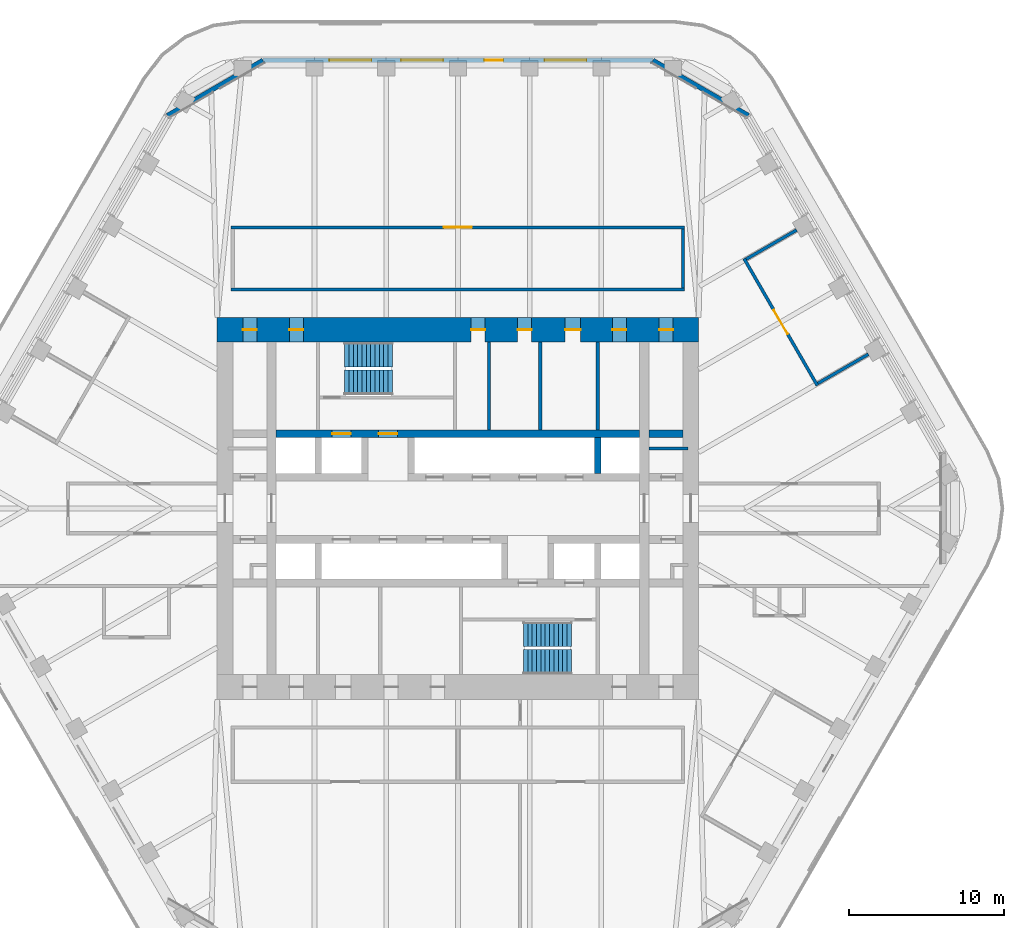
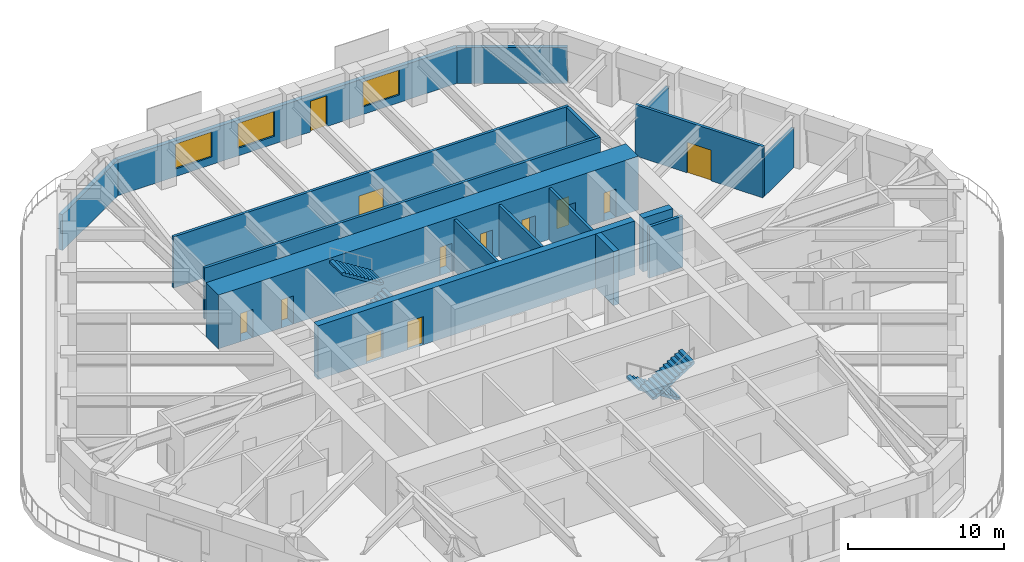
# One storey, part 17 of 20: 17 walls, 12 doors, 4 stair flights, 3 windows, 15 openings, 2 elements without a shape of their own.
"""IFC4 building model written with IfcOpenShell, lengths in metres."""

from ifc_helpers import new_model, si_unit, direction, frame, frame_2d, origin, place, context, subcontext, project, spatial, polyline, rectangle, outline, extrude, material, layer, layer_set, type_object, element, fill, aggregate, save


model = new_model("IFC4")

# Units and contexts
model_context = context("Model", 3, precision=1e-05, world=origin(), true_north=direction((0.0, 1.0)))
body_context = subcontext(model_context, "Body", "Model", "MODEL_VIEW")
ifc_project = project(units=[si_unit("LENGTHUNIT", "METRE"), si_unit("AREAUNIT", "SQUARE_METRE"), si_unit("VOLUMEUNIT", "CUBIC_METRE"), si_unit("PLANEANGLEUNIT", "RADIAN"), si_unit("MASSUNIT", "GRAM", prefix="KILO")], contexts=[model_context])

# Site, building, storey
site_placement = place(None, origin())
site = spatial("IfcSite", under=ifc_project, at=site_placement, CompositionType="ELEMENT")
building_placement = place(site_placement, origin())
building = spatial("IfcBuilding", under=site, at=building_placement, Name="Tarfa Lantern Tower", CompositionType="ELEMENT")
storey_placement = place(building_placement, frame((0.0, 0.0, 286.89990234375)))
storey = spatial("IfcBuildingStorey", under=building, at=storey_placement, Name="L65", CompositionType="ELEMENT", Elevation=286.89990234375)

# Walls
ifc_material_1 = material(Name="Limestone cladding on blockwork", Category="masonry")
ifc_layer_1 = layer(ifc_material_1, 0.300048828125)
ifc_layer_set_1 = layer_set([ifc_layer_1], Name="EW1 STONE-CLAD WALL 300")
wall_type_1 = type_object("IfcWallType", Name="EW1 STONE-CLAD WALL 300", PredefinedType="SOLIDWALL", material=ifc_layer_set_1)
for number, where, z_axis, x_axis, name in (
    (1, (18.70654296875, 25.299072265625, 0.0), (0.0, 0.0, 1.0), (-0.866010973379, 0.500024993363, 0.0), "Garden wall NE-N"),
    (2, (-12.556396484375, 28.85009765625, 0.0), (0.0, 0.0, 1.0), (-0.866010973379, -0.500024993363, 0.0), "Garden wall N-NW"),
):
    element("IfcWall", number, at=place(storey_placement, frame(where, z_axis=z_axis, x_axis=x_axis)), inside=storey, type_object=wall_type_1, Name=name, PredefinedType="SOLIDWALL", context=body_context, shape_type="SweptSolid", body=[
        extrude(rectangle(XDim=7.101806640625, YDim=0.300048828125, at=frame_2d((3.55078125, 0.0))), origin(), (0.0, 0.0, 1.0), 2.800048828125),
    ])

# Wall, openings, door, windows
wall_1_placement = place(storey_placement, frame((12.556396484375, 28.85009765625, 0.0), z_axis=(0.0, 0.0, 1.0), x_axis=(-1.0, 0.0, 0.0)))
wall_1 = element("IfcWall", 3, at=wall_1_placement, inside=storey, type_object=wall_type_1, Name="Stone wall N", PredefinedType="SOLIDWALL", context=body_context, shape_type="SweptSolid", body=[
    extrude(rectangle(XDim=25.11279296875, YDim=0.300048828125, at=frame_2d((12.556396484375, 0.0))), origin(), (0.0, 0.0, 1.0), 2.800048828125),
])
opening_1_placement = place(wall_1_placement, frame((4.2783203125, 0.0, 0.60009765625)))
opening_1 = element("IfcOpeningElement", 4, at=opening_1_placement, cuts=wall_1, Name="Opening W14", PredefinedType="OPENING", context=body_context, shape_type="SweptSolid", body=[
    extrude(rectangle(XDim=2.699951171875, YDim=1.949951171875, at=frame_2d((1.35009765625, 0.97509765625))), frame((0.0, 0.159912109375, 0.0), z_axis=(0.0, -1.0, 0.0), x_axis=(1.0, 0.0, 0.0)), (0.0, 0.0, 1.0), 0.320068359375),
])
opening_2_placement = place(wall_1_placement, frame((9.64697265625, 0.0, 0.0)))
opening_2 = element("IfcOpeningElement", 5, at=opening_2_placement, cuts=wall_1, Name="Opening D46", PredefinedType="OPENING", context=body_context, shape_type="SweptSolid", body=[
    extrude(rectangle(XDim=1.199951171875, YDim=2.39990234375, at=frame_2d((0.60009765625, 1.199951171875))), frame((0.0, 0.159912109375, 0.0), z_axis=(0.0, -1.0, 0.0), x_axis=(1.0, 0.0, 0.0)), (0.0, 0.0, 1.0), 0.320068359375),
])
opening_3_placement = place(wall_1_placement, frame((13.515869140625, 0.0, 0.60009765625)))
opening_3 = element("IfcOpeningElement", 6, at=opening_3_placement, cuts=wall_1, Name="Opening W14", PredefinedType="OPENING", context=body_context, shape_type="SweptSolid", body=[
    extrude(rectangle(XDim=2.699951171875, YDim=1.949951171875, at=frame_2d((1.35009765625, 0.97509765625))), frame((0.0, 0.159912109375, 0.0), z_axis=(0.0, -1.0, 0.0), x_axis=(1.0, 0.0, 0.0)), (0.0, 0.0, 1.0), 0.320068359375),
])
opening_4_placement = place(wall_1_placement, frame((18.134521484375, 0.0, 0.60009765625)))
opening_4 = element("IfcOpeningElement", 7, at=opening_4_placement, cuts=wall_1, Name="Opening W14", PredefinedType="OPENING", context=body_context, shape_type="SweptSolid", body=[
    extrude(rectangle(XDim=2.699951171875, YDim=1.949951171875, at=frame_2d((1.35009765625, 0.97509765625))), frame((0.0, 0.159912109375, 0.0), z_axis=(0.0, -1.0, 0.0), x_axis=(1.0, 0.0, 0.0)), (0.0, 0.0, 1.0), 0.320068359375),
])
ifc_material_2 = material(Name="Aluminium framed glazed door", Category="aluminium")
door_type_1 = type_object("IfcDoorType", Name="BE3 BALCONY DOOR 1200x2400", OperationType="SINGLE_SWING_RIGHT", PredefinedType="DOOR", material=ifc_material_2)
door_1_placement = place(opening_2_placement, origin())
door_1 = element("IfcDoor", 8, at=door_1_placement, inside=storey, type_object=door_type_1, Name="Balcony door N", OperationType="SINGLE_SWING_RIGHT", OverallHeight=2.39990234375, OverallWidth=1.199951171875, PredefinedType="DOOR", context=body_context, shape_type="SweptSolid", body=[
    extrude(rectangle(XDim=1.199951171875, YDim=2.39990234375, at=frame_2d((0.60009765625, 1.199951171875))), frame((0.0, 0.02490234375, 0.0), z_axis=(0.0, -1.0, 0.0), x_axis=(1.0, 0.0, 0.0)), (0.0, 0.0, 1.0), 0.050048828125),
])
fill(opening_2, door_1)
ifc_material_3 = material(Name="Aluminium frame, double glazed", Category="aluminium")
window_type = type_object("IfcWindowType", Name="W14 FULL-HEIGHT GLAZING 2700x1950", PartitioningType="SINGLE_PANEL", PredefinedType="WINDOW", material=ifc_material_3)
window_1_placement = place(opening_1_placement, origin())
window_1 = element("IfcWindow", 9, at=window_1_placement, inside=storey, type_object=window_type, Name="Window N 2", OverallHeight=1.949951171875, OverallWidth=2.699951171875, PartitioningType="SINGLE_PANEL", PredefinedType="WINDOW", context=body_context, shape_type="SweptSolid", body=[
    extrude(rectangle(XDim=2.699951171875, YDim=1.949951171875, at=frame_2d((1.35009765625, 0.97509765625))), frame((0.0, 0.030029296875, 0.0), z_axis=(0.0, -1.0, 0.0), x_axis=(1.0, 0.0, 0.0)), (0.0, 0.0, 1.0), 0.06005859375),
])
fill(opening_1, window_1)
window_2_placement = place(opening_3_placement, origin())
window_2 = element("IfcWindow", 10, at=window_2_placement, inside=storey, type_object=window_type, Name="Window N 4", OverallHeight=1.949951171875, OverallWidth=2.699951171875, PartitioningType="SINGLE_PANEL", PredefinedType="WINDOW", context=body_context, shape_type="SweptSolid", body=[
    extrude(rectangle(XDim=2.699951171875, YDim=1.949951171875, at=frame_2d((1.35009765625, 0.97509765625))), frame((0.0, 0.030029296875, 0.0), z_axis=(0.0, -1.0, 0.0), x_axis=(1.0, 0.0, 0.0)), (0.0, 0.0, 1.0), 0.06005859375),
])
fill(opening_3, window_2)
window_3_placement = place(opening_4_placement, origin())
window_3 = element("IfcWindow", 11, at=window_3_placement, inside=storey, type_object=window_type, Name="Window N 5", OverallHeight=1.949951171875, OverallWidth=2.699951171875, PartitioningType="SINGLE_PANEL", PredefinedType="WINDOW", context=body_context, shape_type="SweptSolid", body=[
    extrude(rectangle(XDim=2.699951171875, YDim=1.949951171875, at=frame_2d((1.35009765625, 0.97509765625))), frame((0.0, 0.030029296875, 0.0), z_axis=(0.0, -1.0, 0.0), x_axis=(1.0, 0.0, 0.0)), (0.0, 0.0, 1.0), 0.06005859375),
])
fill(opening_4, window_3)

# Walls
ifc_material_4 = material(Name="Concrete blockwork", Category="masonry")
ifc_layer_2 = layer(ifc_material_4, 0.199951171875)
ifc_layer_set_2 = layer_set([ifc_layer_2], Name="IW1 BLOCKWORK PARTITION 200 EI 120")
wall_type_2 = type_object("IfcWallType", Name="IW1 BLOCKWORK PARTITION 200 EI 120", PredefinedType="PARTITIONING", material=ifc_layer_set_2)
for number, where, z_axis, x_axis, name in (
    (12, (9.0, 5.050048828125, 0.0), (0.0, 0.0, 1.0), (0.0, 1.0, 0.0), "Core partition"),
    (13, (2.0, 5.050048828125, 0.0), (0.0, 0.0, 1.0), (0.0, 1.0, 0.0), "Core partition"),
    (14, (5.300048828125, 5.050048828125, 0.0), (0.0, 0.0, 1.0), (0.0, 1.0, 0.0), "Core partition"),
):
    element("IfcWall", number, at=place(storey_placement, frame(where, z_axis=z_axis, x_axis=x_axis)), inside=storey, type_object=wall_type_2, Name=name, PredefinedType="PARTITIONING", context=body_context, shape_type="SweptSolid", body=[
        extrude(rectangle(XDim=5.64990234375, YDim=0.199951171875, at=frame_2d((2.824951171875, 0.0))), origin(), (0.0, 0.0, 1.0), 4.0),
    ])
wall_2_placement = place(storey_placement, frame((12.300048828125, 3.85009765625, 0.0), z_axis=(0.0, 0.0, 1.0), x_axis=(1.0, 0.0, 0.0)))
element("IfcWall", 15, at=wall_2_placement, inside=storey, type_object=wall_type_2, Name="Core partition", PredefinedType="PARTITIONING", context=body_context, shape_type="SweptSolid", body=[
    extrude(rectangle(XDim=2.5, YDim=0.199951171875, at=frame_2d((1.25, 0.0))), origin(), (0.0, 0.0, 1.0), 4.0),
])
ifc_material_5 = material(Name="Gypsum board on steel studs", Category="steel")
ifc_layer_3 = layer(ifc_material_5, 0.2099609375)
ifc_layer_set_3 = layer_set([ifc_layer_3], Name="IW2 ACOUSTIC PARTITION 200")
wall_type_3 = type_object("IfcWallType", Name="IW2 ACOUSTIC PARTITION 200", PredefinedType="PARTITIONING", material=ifc_layer_set_3)
wall_3_placement = place(storey_placement, frame((-14.60009765625, 14.10009765625, 0.0), z_axis=(0.0, 0.0, 1.0), x_axis=(1.0, 0.0, 0.0)))
element("IfcWall", 16, at=wall_3_placement, inside=storey, type_object=wall_type_3, Name="Partition", PredefinedType="PARTITIONING", context=body_context, shape_type="SweptSolid", body=[
    extrude(rectangle(XDim=29.2001953125, YDim=0.199951171875, at=frame_2d((14.60009765625, 0.0))), origin(), (0.0, 0.0, 1.0), 4.0),
])

# Wall, opening, door
wall_4_placement = place(storey_placement, frame((-14.60009765625, 18.10009765625, 0.0), z_axis=(0.0, 0.0, 1.0), x_axis=(1.0, 0.0, 0.0)))
wall_4 = element("IfcWall", 17, at=wall_4_placement, inside=storey, type_object=wall_type_3, Name="Partition", PredefinedType="PARTITIONING", context=body_context, shape_type="SweptSolid", body=[
    extrude(rectangle(XDim=29.2001953125, YDim=0.199951171875, at=frame_2d((14.60009765625, 0.0))), origin(), (0.0, 0.0, 1.0), 4.0),
])
opening_5_placement = place(wall_4_placement, frame((13.699951171875, 0.0, 0.0)))
opening_5 = element("IfcOpeningElement", 18, at=opening_5_placement, cuts=wall_4, Name="Opening D31", PredefinedType="OPENING", context=body_context, shape_type="SweptSolid", body=[
    extrude(rectangle(XDim=1.800048828125, YDim=2.39990234375, at=frame_2d((0.89990234375, 1.199951171875))), frame((0.0, 0.10986328125, 0.0), z_axis=(0.0, -1.0, 0.0), x_axis=(1.0, 0.0, 0.0)), (0.0, 0.0, 1.0), 0.219970703125),
])
ifc_material_6 = material(Name="Timber door", Category="wood")
door_type_2 = type_object("IfcDoorType", Name="DR2 ROOM DOOR 1800x2400", OperationType="DOUBLE_DOOR_SINGLE_SWING", PredefinedType="DOOR", material=ifc_material_6)
door_2_placement = place(opening_5_placement, frame((1.800048828125, 0.0, 0.0), z_axis=(0.0, 0.0, 1.0), x_axis=(-1.0, 0.0, 0.0)))
door_2 = element("IfcDoor", 19, at=door_2_placement, inside=storey, type_object=door_type_2, Name="Team room door", OperationType="DOUBLE_DOOR_SINGLE_SWING", OverallHeight=2.39990234375, OverallWidth=1.800048828125, PredefinedType="DOOR", context=body_context, shape_type="SweptSolid", body=[
    extrude(rectangle(XDim=1.800048828125, YDim=2.39990234375, at=frame_2d((0.89990234375, 1.199951171875))), frame((0.0, 0.02490234375, 0.0), z_axis=(0.0, -1.0, 0.0), x_axis=(1.0, 0.0, 0.0)), (0.0, 0.0, 1.0), 0.050048828125),
])
fill(opening_5, door_2)

# Wall
wall_5_placement = place(storey_placement, frame((14.5, 14.199951171875, 0.0), z_axis=(0.0, 0.0, 1.0), x_axis=(0.0, 1.0, 0.0)))
element("IfcWall", 20, at=wall_5_placement, inside=storey, type_object=wall_type_3, Name="Partition", PredefinedType="PARTITIONING", context=body_context, shape_type="SweptSolid", body=[
    extrude(rectangle(XDim=3.800048828125, YDim=0.199951171875, at=frame_2d((1.89990234375, 0.0))), origin(), (0.0, 0.0, 1.0), 4.0),
])

# Wall, opening, door
wall_6_placement = place(storey_placement, frame((23.14404296875, 7.913330078125, 0.0), z_axis=(0.0, 0.0, 1.0), x_axis=(-0.499989672313, 0.866031366395, 0.0)))
wall_6 = element("IfcWall", 21, at=wall_6_placement, inside=storey, type_object=wall_type_3, Name="Partition", PredefinedType="PARTITIONING", context=body_context, shape_type="SweptSolid", body=[
    extrude(rectangle(XDim=9.437744140625, YDim=0.199951171875, at=frame_2d((4.71875, 0.0))), origin(), (0.0, 0.0, 1.0), 4.0),
])
opening_6_placement = place(wall_6_placement, frame((3.81884765625, 0.0, 0.0)))
opening_6 = element("IfcOpeningElement", 22, at=opening_6_placement, cuts=wall_6, Name="Opening D27", PredefinedType="OPENING", context=body_context, shape_type="SweptSolid", body=[
    extrude(rectangle(XDim=1.800048828125, YDim=2.39990234375, at=frame_2d((0.89990234375, 1.199951171875))), frame((0.0, 0.10986328125, 0.0), z_axis=(0.0, -1.0, 0.0), x_axis=(1.0, 0.0, 0.0)), (0.0, 0.0, 1.0), 0.219970703125),
])
door_3_placement = place(opening_6_placement, frame((1.800048828125, 0.0, 0.0), z_axis=(0.0, 0.0, 1.0), x_axis=(-1.0, 0.0, 0.0)))
door_3 = element("IfcDoor", 23, at=door_3_placement, inside=storey, type_object=door_type_2, Name="Team room door", OperationType="DOUBLE_DOOR_SINGLE_SWING", OverallHeight=2.39990234375, OverallWidth=1.800048828125, PredefinedType="DOOR", context=body_context, shape_type="SweptSolid", body=[
    extrude(rectangle(XDim=1.800048828125, YDim=2.39990234375, at=frame_2d((0.89990234375, 1.199951171875))), frame((0.0, 0.02490234375, 0.0), z_axis=(0.0, -1.0, 0.0), x_axis=(1.0, 0.0, 0.0)), (0.0, 0.0, 1.0), 0.050048828125),
])
fill(opening_6, door_3)

# Walls
for number, where, z_axis, x_axis, name in (
    (24, (23.1806640625, 8.050048828125, 0.0), (0.0, 0.0, 1.0), (0.866022959057, 0.500004234368, 0.0), "Partition"),
    (25, (18.561767578125, 16.050048828125, 0.0), (0.0, 0.0, 1.0), (0.866022959057, 0.500004234368, 0.0), "Partition"),
):
    element("IfcWall", number, at=place(storey_placement, frame(where, z_axis=z_axis, x_axis=x_axis)), inside=storey, type_object=wall_type_3, Name=name, PredefinedType="PARTITIONING", context=body_context, shape_type="SweptSolid", body=[
        extrude(rectangle(XDim=3.75, YDim=0.199951171875, at=frame_2d((1.875, 0.0))), origin(), (0.0, 0.0, 1.0), 3.081787109375),
    ])

# Wall, openings, doors
ifc_material_7 = material(Name="Concrete C80/95", Category="concrete")
ifc_layer_4 = layer(ifc_material_7, 0.5)
ifc_layer_set_4 = layer_set([ifc_layer_4], Name="SW5 CORE WALL 500")
wall_type_4 = type_object("IfcWallType", Name="SW5 CORE WALL 500", PredefinedType="SHEAR", material=ifc_layer_set_4)
wall_7_placement = place(storey_placement, frame((-11.699951171875, 4.800048828125, 0.0), z_axis=(0.0, 0.0, 1.0), x_axis=(1.0, 0.0, 0.0)))
wall_7 = element("IfcWall", 26, at=wall_7_placement, inside=storey, type_object=wall_type_4, Name="Core wall rear N", PredefinedType="SHEAR", context=body_context, shape_type="SweptSolid", body=[
    extrude(rectangle(XDim=23.39990234375, YDim=0.5, at=frame_2d((11.699951171875, 0.0))), origin(), (0.0, 0.0, 1.0), 4.2001953125),
])
opening_7_placement = place(wall_7_placement, frame((6.60009765625, 0.0, 0.0)))
opening_7 = element("IfcOpeningElement", 27, at=opening_7_placement, cuts=wall_7, Name="Opening D09", PredefinedType="OPENING", context=body_context, shape_type="SweptSolid", body=[
    extrude(rectangle(XDim=1.199951171875, YDim=2.199951171875, at=frame_2d((0.60009765625, 1.10009765625))), frame((0.0, 0.260009765625, 0.0), z_axis=(0.0, -1.0, 0.0), x_axis=(1.0, 0.0, 0.0)), (0.0, 0.0, 1.0), 0.52001953125),
])
opening_8_placement = place(wall_7_placement, frame((3.60009765625, 0.0, 0.0)))
opening_8 = element("IfcOpeningElement", 28, at=opening_8_placement, cuts=wall_7, Name="Opening LD01", PredefinedType="OPENING", context=body_context, shape_type="SweptSolid", body=[
    extrude(rectangle(XDim=1.199951171875, YDim=2.199951171875, at=frame_2d((0.60009765625, 1.10009765625))), frame((0.0, 0.260009765625, 0.0), z_axis=(0.0, -1.0, 0.0), x_axis=(1.0, 0.0, 0.0)), (0.0, 0.0, 1.0), 0.52001953125),
])
ifc_material_8 = material(Name="Steel fire door", Category="steel")
door_type_3 = type_object("IfcDoorType", Name="DF1 FIREFIGHTING LOBBY DOOR 1200x2200", OperationType="SINGLE_SWING_LEFT", PredefinedType="DOOR", material=ifc_material_8)
door_4_placement = place(opening_7_placement, origin())
door_4 = element("IfcDoor", 29, at=door_4_placement, inside=storey, type_object=door_type_3, Name="Firefighting lobby door", OperationType="SINGLE_SWING_LEFT", OverallHeight=2.199951171875, OverallWidth=1.199951171875, PredefinedType="DOOR", context=body_context, shape_type="SweptSolid", body=[
    extrude(rectangle(XDim=1.199951171875, YDim=2.199951171875, at=frame_2d((0.60009765625, 1.10009765625))), frame((0.0, 0.02490234375, 0.0), z_axis=(0.0, -1.0, 0.0), x_axis=(1.0, 0.0, 0.0)), (0.0, 0.0, 1.0), 0.050048828125),
])
fill(opening_7, door_4)
ifc_material_9 = material(Name="Stainless steel lift door", Category="steel")
door_type_4 = type_object("IfcDoorType", Name="LD1 LIFT LANDING DOOR 1200x2200", OperationType="SLIDING_TO_LEFT", PredefinedType="DOOR", material=ifc_material_9)
door_5_placement = place(opening_8_placement, origin())
door_5 = element("IfcDoor", 30, at=door_5_placement, inside=storey, type_object=door_type_4, Name="Landing door FL1", OperationType="SLIDING_TO_LEFT", OverallHeight=2.199951171875, OverallWidth=1.199951171875, PredefinedType="DOOR", context=body_context, shape_type="SweptSolid", body=[
    extrude(rectangle(XDim=1.199951171875, YDim=2.199951171875, at=frame_2d((0.60009765625, 1.10009765625))), frame((0.0, 0.02490234375, 0.0), z_axis=(0.0, -1.0, 0.0), x_axis=(1.0, 0.0, 0.0)), (0.0, 0.0, 1.0), 0.050048828125),
])
fill(opening_8, door_5)

# Walls
wall_8_placement = place(storey_placement, frame((12.300048828125, 4.800048828125, 0.0), z_axis=(0.0, 0.0, 1.0), x_axis=(1.0, 0.0, 0.0)))
element("IfcWall", 31, at=wall_8_placement, inside=storey, type_object=wall_type_4, Name="Core wall rear N", PredefinedType="SHEAR", context=body_context, shape_type="SweptSolid", body=[
    extrude(rectangle(XDim=2.199951171875, YDim=0.5, at=frame_2d((1.10009765625, 0.0))), origin(), (0.0, 0.0, 1.0), 4.2001953125),
])
ifc_layer_5 = layer(ifc_material_7, 0.39990234375)
ifc_layer_set_5 = layer_set([ifc_layer_5], Name="SW6 CORE WALL 400")
wall_type_5 = type_object("IfcWallType", Name="SW6 CORE WALL 400", PredefinedType="SHEAR", material=ifc_layer_set_5)
wall_9_placement = place(storey_placement, frame((9.0, 2.25, 0.0), z_axis=(0.0, 0.0, 1.0), x_axis=(0.0, 1.0, 0.0)))
element("IfcWall", 32, at=wall_9_placement, inside=storey, type_object=wall_type_5, Name="Core wall divider N", PredefinedType="SHEAR", context=body_context, shape_type="SweptSolid", body=[
    extrude(rectangle(XDim=2.300048828125, YDim=0.39990234375, at=frame_2d((1.14990234375, 0.0))), origin(), (0.0, 0.0, 1.0), 4.2001953125),
])

# Wall, openings, doors
ifc_layer_6 = layer(ifc_material_7, 1.60009765625)
ifc_layer_set_6 = layer_set([ifc_layer_6], Name="SW7 CORE WALL 1600")
wall_type_6 = type_object("IfcWallType", Name="SW7 CORE WALL 1600", PredefinedType="SHEAR", material=ifc_layer_set_6)
wall_10_placement = place(storey_placement, frame((-15.5, 11.5, 0.0), z_axis=(0.0, 0.0, 1.0), x_axis=(1.0, 0.0, 0.0)))
wall_10 = element("IfcWall", 33, at=wall_10_placement, inside=storey, type_object=wall_type_6, Name="Core wall N", PredefinedType="SHEAR", context=body_context, shape_type="SweptSolid", body=[
    extrude(rectangle(XDim=31.0, YDim=1.60009765625, at=frame_2d((15.5, 0.0))), origin(), (0.0, 0.0, 1.0), 4.2001953125),
])
opening_9_placement = place(wall_10_placement, frame((16.35009765625, 0.0, 0.0)))
opening_9 = element("IfcOpeningElement", 34, at=opening_9_placement, cuts=wall_10, Name="Opening D17", PredefinedType="OPENING", context=body_context, shape_type="SweptSolid", body=[
    extrude(rectangle(XDim=0.89990234375, YDim=2.199951171875, at=frame_2d((0.449951171875, 1.10009765625))), frame((0.0, 0.81005859375, 0.0), z_axis=(0.0, -1.0, 0.0), x_axis=(1.0, 0.0, 0.0)), (0.0, 0.0, 1.0), 1.6201171875),
])
opening_10_placement = place(wall_10_placement, frame((19.35009765625, 0.0, 0.0)))
opening_10 = element("IfcOpeningElement", 35, at=opening_10_placement, cuts=wall_10, Name="Opening D19", PredefinedType="OPENING", context=body_context, shape_type="SweptSolid", body=[
    extrude(rectangle(XDim=0.89990234375, YDim=2.199951171875, at=frame_2d((0.449951171875, 1.10009765625))), frame((0.0, 0.81005859375, 0.0), z_axis=(0.0, -1.0, 0.0), x_axis=(1.0, 0.0, 0.0)), (0.0, 0.0, 1.0), 1.6201171875),
])
opening_11_placement = place(wall_10_placement, frame((22.39990234375, 0.0, 0.0)))
opening_11 = element("IfcOpeningElement", 36, at=opening_11_placement, cuts=wall_10, Name="Opening D21", PredefinedType="OPENING", context=body_context, shape_type="SweptSolid", body=[
    extrude(rectangle(XDim=1.0, YDim=2.199951171875, at=frame_2d((0.5, 1.10009765625))), frame((0.0, 0.81005859375, 0.0), z_axis=(0.0, -1.0, 0.0), x_axis=(1.0, 0.0, 0.0)), (0.0, 0.0, 1.0), 1.6201171875),
])
opening_12_placement = place(wall_10_placement, frame((1.64990234375, 0.0, 0.0)))
opening_12 = element("IfcOpeningElement", 37, at=opening_12_placement, cuts=wall_10, Name="Opening D07", PredefinedType="OPENING", context=body_context, shape_type="SweptSolid", body=[
    extrude(rectangle(XDim=0.89990234375, YDim=2.199951171875, at=frame_2d((0.449951171875, 1.10009765625))), frame((0.0, 0.81005859375, 0.0), z_axis=(0.0, -1.0, 0.0), x_axis=(1.0, 0.0, 0.0)), (0.0, 0.0, 1.0), 1.6201171875),
])
opening_13_placement = place(wall_10_placement, frame((4.64990234375, 0.0, 0.0)))
opening_13 = element("IfcOpeningElement", 38, at=opening_13_placement, cuts=wall_10, Name="Opening D05", PredefinedType="OPENING", context=body_context, shape_type="SweptSolid", body=[
    extrude(rectangle(XDim=0.89990234375, YDim=2.199951171875, at=frame_2d((0.449951171875, 1.10009765625))), frame((0.0, 0.81005859375, 0.0), z_axis=(0.0, -1.0, 0.0), x_axis=(1.0, 0.0, 0.0)), (0.0, 0.0, 1.0), 1.6201171875),
])
opening_14_placement = place(wall_10_placement, frame((25.449951171875, 0.0, 0.0)))
opening_14 = element("IfcOpeningElement", 39, at=opening_14_placement, cuts=wall_10, Name="Opening D03", PredefinedType="OPENING", context=body_context, shape_type="SweptSolid", body=[
    extrude(rectangle(XDim=0.89990234375, YDim=2.199951171875, at=frame_2d((0.449951171875, 1.10009765625))), frame((0.0, 0.81005859375, 0.0), z_axis=(0.0, -1.0, 0.0), x_axis=(1.0, 0.0, 0.0)), (0.0, 0.0, 1.0), 1.6201171875),
])
opening_15_placement = place(wall_10_placement, frame((28.449951171875, 0.0, 0.0)))
opening_15 = element("IfcOpeningElement", 40, at=opening_15_placement, cuts=wall_10, Name="Opening D01", PredefinedType="OPENING", context=body_context, shape_type="SweptSolid", body=[
    extrude(rectangle(XDim=0.89990234375, YDim=2.199951171875, at=frame_2d((0.449951171875, 1.10009765625))), frame((0.0, 0.81005859375, 0.0), z_axis=(0.0, -1.0, 0.0), x_axis=(1.0, 0.0, 0.0)), (0.0, 0.0, 1.0), 1.6201171875),
])
door_type_5 = type_object("IfcDoorType", Name="DF3 CORE ROOM DOOR 900x2200", OperationType="SINGLE_SWING_LEFT", PredefinedType="DOOR", material=ifc_material_8)
door_6_placement = place(opening_9_placement, frame((0.89990234375, 0.0, 0.0), z_axis=(0.0, 0.0, 1.0), x_axis=(-1.0, 0.0, 0.0)))
door_6 = element("IfcDoor", 41, at=door_6_placement, inside=storey, type_object=door_type_5, Name="Core door", OperationType="SINGLE_SWING_RIGHT", OverallHeight=2.199951171875, OverallWidth=0.89990234375, PredefinedType="DOOR", context=body_context, shape_type="SweptSolid", body=[
    extrude(rectangle(XDim=0.89990234375, YDim=2.199951171875, at=frame_2d((0.449951171875, 1.10009765625))), frame((0.0, 0.02490234375, 0.0), z_axis=(0.0, -1.0, 0.0), x_axis=(1.0, 0.0, 0.0)), (0.0, 0.0, 1.0), 0.050048828125),
])
fill(opening_9, door_6)
door_7_placement = place(opening_10_placement, frame((0.89990234375, 0.0, 0.0), z_axis=(0.0, 0.0, 1.0), x_axis=(-1.0, 0.0, 0.0)))
door_7 = element("IfcDoor", 42, at=door_7_placement, inside=storey, type_object=door_type_5, Name="Core door", OperationType="SINGLE_SWING_RIGHT", OverallHeight=2.199951171875, OverallWidth=0.89990234375, PredefinedType="DOOR", context=body_context, shape_type="SweptSolid", body=[
    extrude(rectangle(XDim=0.89990234375, YDim=2.199951171875, at=frame_2d((0.449951171875, 1.10009765625))), frame((0.0, 0.02490234375, 0.0), z_axis=(0.0, -1.0, 0.0), x_axis=(1.0, 0.0, 0.0)), (0.0, 0.0, 1.0), 0.050048828125),
])
fill(opening_10, door_7)
door_type_6 = type_object("IfcDoorType", Name="DF4 CORE ROOM DOOR 1000x2200", OperationType="SINGLE_SWING_LEFT", PredefinedType="DOOR", material=ifc_material_8)
door_8_placement = place(opening_11_placement, frame((1.0, 0.0, 0.0), z_axis=(0.0, 0.0, 1.0), x_axis=(-1.0, 0.0, 0.0)))
door_8 = element("IfcDoor", 43, at=door_8_placement, inside=storey, type_object=door_type_6, Name="Core door", OperationType="SINGLE_SWING_RIGHT", OverallHeight=2.199951171875, OverallWidth=1.0, PredefinedType="DOOR", context=body_context, shape_type="SweptSolid", body=[
    extrude(rectangle(XDim=1.0, YDim=2.199951171875, at=frame_2d((0.5, 1.10009765625))), frame((0.0, 0.02490234375, 0.0), z_axis=(0.0, -1.0, 0.0), x_axis=(1.0, 0.0, 0.0)), (0.0, 0.0, 1.0), 0.050048828125),
])
fill(opening_11, door_8)
door_type_7 = type_object("IfcDoorType", Name="DF5 RISER DOOR 900x2200", OperationType="SINGLE_SWING_LEFT", PredefinedType="DOOR", material=ifc_material_8)
door_9_placement = place(opening_12_placement, frame((0.89990234375, 0.0, 0.0), z_axis=(0.0, 0.0, 1.0), x_axis=(-1.0, 0.0, 0.0)))
door_9 = element("IfcDoor", 44, at=door_9_placement, inside=storey, type_object=door_type_7, Name="Riser door", OperationType="SINGLE_SWING_LEFT", OverallHeight=2.199951171875, OverallWidth=0.89990234375, PredefinedType="DOOR", context=body_context, shape_type="SweptSolid", body=[
    extrude(rectangle(XDim=0.89990234375, YDim=2.199951171875, at=frame_2d((0.449951171875, 1.10009765625))), frame((0.0, 0.02490234375, 0.0), z_axis=(0.0, -1.0, 0.0), x_axis=(1.0, 0.0, 0.0)), (0.0, 0.0, 1.0), 0.050048828125),
])
fill(opening_12, door_9)
door_10_placement = place(opening_13_placement, frame((0.89990234375, 0.0, 0.0), z_axis=(0.0, 0.0, 1.0), x_axis=(-1.0, 0.0, 0.0)))
door_10 = element("IfcDoor", 45, at=door_10_placement, inside=storey, type_object=door_type_7, Name="Riser door", OperationType="SINGLE_SWING_LEFT", OverallHeight=2.199951171875, OverallWidth=0.89990234375, PredefinedType="DOOR", context=body_context, shape_type="SweptSolid", body=[
    extrude(rectangle(XDim=0.89990234375, YDim=2.199951171875, at=frame_2d((0.449951171875, 1.10009765625))), frame((0.0, 0.02490234375, 0.0), z_axis=(0.0, -1.0, 0.0), x_axis=(1.0, 0.0, 0.0)), (0.0, 0.0, 1.0), 0.050048828125),
])
fill(opening_13, door_10)
door_11_placement = place(opening_14_placement, frame((0.89990234375, 0.0, 0.0), z_axis=(0.0, 0.0, 1.0), x_axis=(-1.0, 0.0, 0.0)))
door_11 = element("IfcDoor", 46, at=door_11_placement, inside=storey, type_object=door_type_7, Name="Riser door", OperationType="SINGLE_SWING_RIGHT", OverallHeight=2.199951171875, OverallWidth=0.89990234375, PredefinedType="DOOR", context=body_context, shape_type="SweptSolid", body=[
    extrude(rectangle(XDim=0.89990234375, YDim=2.199951171875, at=frame_2d((0.449951171875, 1.10009765625))), frame((0.0, 0.02490234375, 0.0), z_axis=(0.0, -1.0, 0.0), x_axis=(1.0, 0.0, 0.0)), (0.0, 0.0, 1.0), 0.050048828125),
])
fill(opening_14, door_11)
door_12_placement = place(opening_15_placement, frame((0.89990234375, 0.0, 0.0), z_axis=(0.0, 0.0, 1.0), x_axis=(-1.0, 0.0, 0.0)))
door_12 = element("IfcDoor", 47, at=door_12_placement, inside=storey, type_object=door_type_7, Name="Riser door", OperationType="SINGLE_SWING_RIGHT", OverallHeight=2.199951171875, OverallWidth=0.89990234375, PredefinedType="DOOR", context=body_context, shape_type="SweptSolid", body=[
    extrude(rectangle(XDim=0.89990234375, YDim=2.199951171875, at=frame_2d((0.449951171875, 1.10009765625))), frame((0.0, 0.02490234375, 0.0), z_axis=(0.0, -1.0, 0.0), x_axis=(1.0, 0.0, 0.0)), (0.0, 0.0, 1.0), 0.050048828125),
])
fill(opening_15, door_12)

# Stair, stair flights
ifc_material_10 = material(Name="Concrete C40/50", Category="concrete")
stair_type = type_object("IfcStairType", Name="ST-T10 HALF-TURN STAIR 4200 RISE", PredefinedType="HALF_TURN_STAIR", material=ifc_material_10)
stair_1_placement = place(storey_placement, origin())
stair_1 = element("IfcStair", 48, at=stair_1_placement, inside=storey, type_object=stair_type, Name="Stair ST1", PredefinedType="HALF_TURN_STAIR")
stair_flight_type = type_object("IfcStairFlightType", Name="SF1 STAIR FLIGHT", PredefinedType="STRAIGHT", material=ifc_material_10)
stair_flight_1_placement = place(storey_placement, frame((-7.300048828125, 8.10009765625, 0.0), z_axis=(0.0, 0.0, 1.0), x_axis=(1.0, 0.0, 0.0)))
stair_flight_1 = element("IfcStairFlight", 49, at=stair_flight_1_placement, type_object=stair_flight_type, Name="ST1 flight 1", NumberOfRisers=12, NumberOfTreads=11, PredefinedType="STRAIGHT", RiserHeight=0.175, TreadLength=0.28, context=body_context, shape_type="SweptSolid", body=[
    extrude(outline(polyline([(0.0, 0.0), (0.0, 0.175048828125), (0.280029296875, 0.175048828125), (0.280029296875, 0.35009765625), (0.56005859375, 0.35009765625), (0.56005859375, 0.52490234375), (0.840087890625, 0.52490234375), (0.840087890625, 0.699951171875), (1.1201171875, 0.699951171875), (1.1201171875, 0.875), (1.39990234375, 0.875), (1.39990234375, 1.050048828125), (1.679931640625, 1.050048828125), (1.679931640625, 1.22509765625), (1.9599609375, 1.22509765625), (1.9599609375, 1.39990234375), (2.239990234375, 1.39990234375), (2.239990234375, 1.574951171875), (2.52001953125, 1.574951171875), (2.52001953125, 1.75), (2.800048828125, 1.75), (2.800048828125, 1.925048828125), (3.080078125, 1.925048828125), (3.080078125, 2.10009765625), (3.080078125, 1.748291015625), (0.28271484375, 0.0), (0.0, 0.0)])), frame((0.0, 0.800048828125, 0.0), z_axis=(0.0, -1.0, 0.0), x_axis=(1.0, 0.0, 0.0)), (0.0, 0.0, 1.0), 1.60009765625),
])
stair_flight_2_placement = place(storey_placement, frame((-4.219970703125, 9.89990234375, 2.10009765625), z_axis=(0.0, 0.0, 1.0), x_axis=(-1.0, 0.0, 0.0)))
stair_flight_2 = element("IfcStairFlight", 50, at=stair_flight_2_placement, type_object=stair_flight_type, Name="ST1 flight 2", NumberOfRisers=12, NumberOfTreads=11, PredefinedType="STRAIGHT", RiserHeight=0.175, TreadLength=0.28, context=body_context, shape_type="SweptSolid", body=[
    extrude(outline(polyline([(0.0, 0.0), (0.0, 0.175048828125), (0.280029296875, 0.175048828125), (0.280029296875, 0.35009765625), (0.56005859375, 0.35009765625), (0.56005859375, 0.52490234375), (0.840087890625, 0.52490234375), (0.840087890625, 0.699951171875), (1.1201171875, 0.699951171875), (1.1201171875, 0.875), (1.39990234375, 0.875), (1.39990234375, 1.050048828125), (1.679931640625, 1.050048828125), (1.679931640625, 1.22509765625), (1.9599609375, 1.22509765625), (1.9599609375, 1.39990234375), (2.239990234375, 1.39990234375), (2.239990234375, 1.574951171875), (2.52001953125, 1.574951171875), (2.52001953125, 1.75), (2.800048828125, 1.75), (2.800048828125, 1.925048828125), (3.080078125, 1.925048828125), (3.080078125, 2.10009765625), (3.080078125, 1.748291015625), (0.28271484375, 0.0), (0.0, 0.0)])), frame((0.0, 0.800048828125, 0.0), z_axis=(0.0, -1.0, 0.0), x_axis=(1.0, 0.0, 0.0)), (0.0, 0.0, 1.0), 1.60009765625),
])
aggregate(stair_1, [stair_flight_1, stair_flight_2])

stair_2_placement = place(storey_placement, origin())
stair_2 = element("IfcStair", 51, at=stair_2_placement, inside=storey, type_object=stair_type, Name="Stair ST2", PredefinedType="HALF_TURN_STAIR")
stair_flight_3_placement = place(storey_placement, frame((7.300048828125, -8.10009765625, 0.0), z_axis=(0.0, 0.0, 1.0), x_axis=(-1.0, 0.0, 0.0)))
stair_flight_3 = element("IfcStairFlight", 52, at=stair_flight_3_placement, type_object=stair_flight_type, Name="ST2 flight 1", NumberOfRisers=12, NumberOfTreads=11, PredefinedType="STRAIGHT", RiserHeight=0.175, TreadLength=0.28, context=body_context, shape_type="SweptSolid", body=[
    extrude(outline(polyline([(0.0, 0.0), (0.0, 0.175048828125), (0.280029296875, 0.175048828125), (0.280029296875, 0.35009765625), (0.56005859375, 0.35009765625), (0.56005859375, 0.52490234375), (0.840087890625, 0.52490234375), (0.840087890625, 0.699951171875), (1.1201171875, 0.699951171875), (1.1201171875, 0.875), (1.39990234375, 0.875), (1.39990234375, 1.050048828125), (1.679931640625, 1.050048828125), (1.679931640625, 1.22509765625), (1.9599609375, 1.22509765625), (1.9599609375, 1.39990234375), (2.239990234375, 1.39990234375), (2.239990234375, 1.574951171875), (2.52001953125, 1.574951171875), (2.52001953125, 1.75), (2.800048828125, 1.75), (2.800048828125, 1.925048828125), (3.080078125, 1.925048828125), (3.080078125, 2.10009765625), (3.080078125, 1.748291015625), (0.28271484375, 0.0), (0.0, 0.0)])), frame((0.0, 0.800048828125, 0.0), z_axis=(0.0, -1.0, 0.0), x_axis=(1.0, 0.0, 0.0)), (0.0, 0.0, 1.0), 1.60009765625),
])
stair_flight_4_placement = place(storey_placement, frame((4.219970703125, -9.89990234375, 2.10009765625), z_axis=(0.0, 0.0, 1.0), x_axis=(1.0, 0.0, 0.0)))
stair_flight_4 = element("IfcStairFlight", 53, at=stair_flight_4_placement, type_object=stair_flight_type, Name="ST2 flight 2", NumberOfRisers=12, NumberOfTreads=11, PredefinedType="STRAIGHT", RiserHeight=0.175, TreadLength=0.28, context=body_context, shape_type="SweptSolid", body=[
    extrude(outline(polyline([(0.0, 0.0), (0.0, 0.175048828125), (0.280029296875, 0.175048828125), (0.280029296875, 0.35009765625), (0.56005859375, 0.35009765625), (0.56005859375, 0.52490234375), (0.840087890625, 0.52490234375), (0.840087890625, 0.699951171875), (1.1201171875, 0.699951171875), (1.1201171875, 0.875), (1.39990234375, 0.875), (1.39990234375, 1.050048828125), (1.679931640625, 1.050048828125), (1.679931640625, 1.22509765625), (1.9599609375, 1.22509765625), (1.9599609375, 1.39990234375), (2.239990234375, 1.39990234375), (2.239990234375, 1.574951171875), (2.52001953125, 1.574951171875), (2.52001953125, 1.75), (2.800048828125, 1.75), (2.800048828125, 1.925048828125), (3.080078125, 1.925048828125), (3.080078125, 2.10009765625), (3.080078125, 1.748291015625), (0.28271484375, 0.0), (0.0, 0.0)])), frame((0.0, 0.800048828125, 0.0), z_axis=(0.0, -1.0, 0.0), x_axis=(1.0, 0.0, 0.0)), (0.0, 0.0, 1.0), 1.60009765625),
])
aggregate(stair_2, [stair_flight_3, stair_flight_4])

save(model, "model.ifc")
